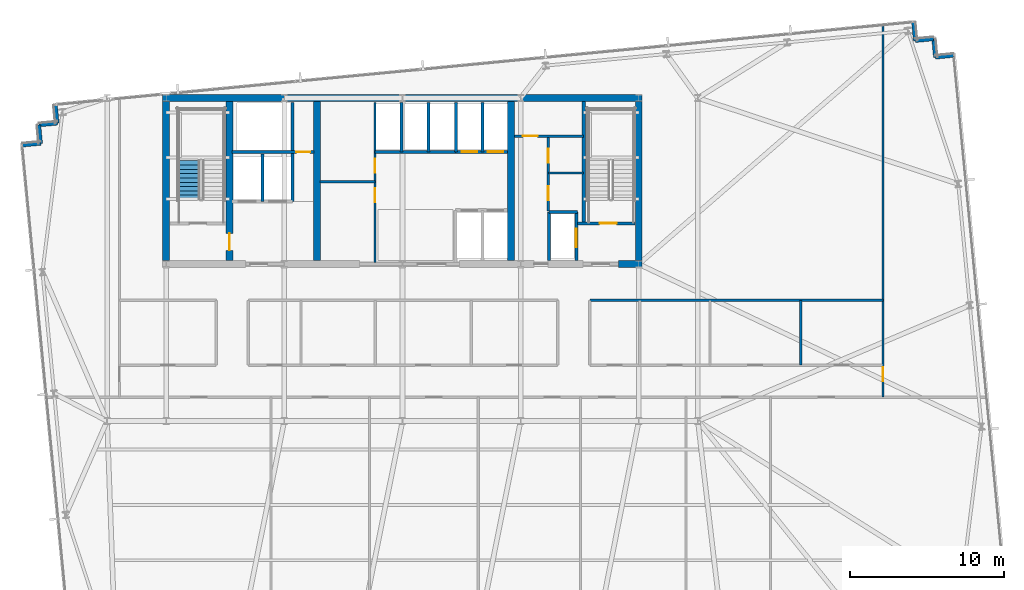
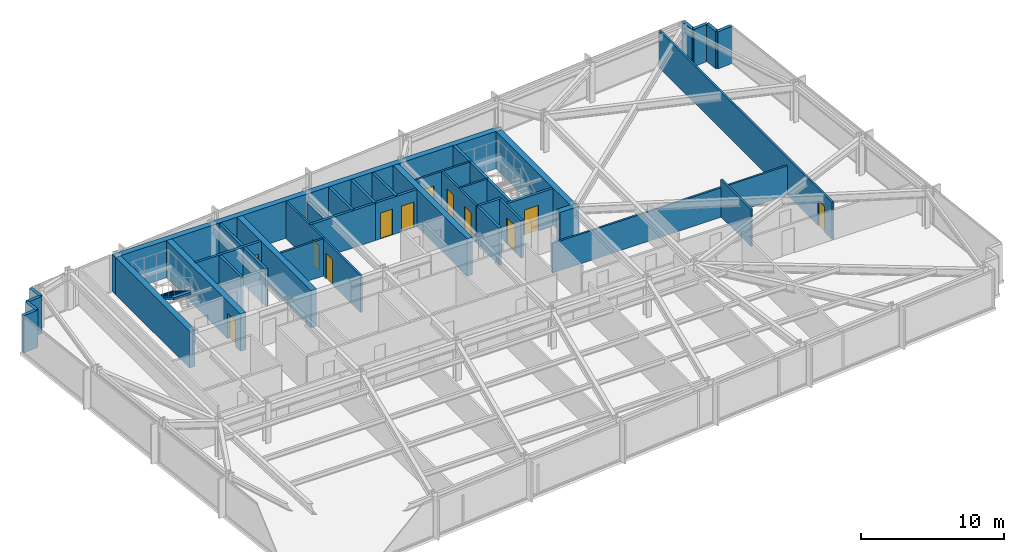
# One storey, part 26 of 33: 37 walls, 12 doors, 1 stair flight, 12 openings, 1 element without a shape of its own.
"""IFC4 building model written with IfcOpenShell, lengths in metres."""

from ifc_helpers import new_model, si_unit, direction, frame, frame_2d, origin, place, context, subcontext, project, spatial, polyline, rectangle, outline, extrude, material, layer, layer_set, type_object, element, fill, aggregate, save


model = new_model("IFC4")

# Units and contexts
model_context = context("Model", 3, precision=1e-05, world=origin(), true_north=direction((0.0, 1.0)))
body_context = subcontext(model_context, "Body", "Model", "MODEL_VIEW")
ifc_project = project(units=[si_unit("LENGTHUNIT", "METRE"), si_unit("AREAUNIT", "SQUARE_METRE"), si_unit("VOLUMEUNIT", "CUBIC_METRE"), si_unit("PLANEANGLEUNIT", "RADIAN"), si_unit("MASSUNIT", "GRAM", prefix="KILO")], contexts=[model_context])

# Site, building, storey
site_placement = place(None, origin())
site = spatial("IfcSite", under=ifc_project, at=site_placement, CompositionType="ELEMENT")
building_placement = place(site_placement, origin())
building = spatial("IfcBuilding", under=site, at=building_placement, Name="Yelkora Congress Tower", CompositionType="ELEMENT")
storey_placement = place(building_placement, frame((0.0, 0.0, 106.699951171875)))
storey = spatial("IfcBuildingStorey", under=building, at=storey_placement, Name="L28", CompositionType="ELEMENT", Elevation=106.699951171875)

# Walls
ifc_material_1 = material(Name="Concrete C50/60", Category="concrete")
ifc_layer_1 = layer(ifc_material_1, 0.219970703125)
ifc_layer_set_1 = layer_set([ifc_layer_1], Name="Concrete C50/60")
wall_type_1 = type_object("IfcWallType", Name="WALL-CORE-INT-220", PredefinedType="SHEAR", material=ifc_layer_set_1)
wall_1_placement = place(storey_placement, frame((50.179931640625, 38.050048828125, 0.0), z_axis=(0.0, 0.0, 1.0), x_axis=(0.0, 1.0, 0.0)))
element("IfcWall", 1, at=wall_1_placement, inside=storey, type_object=wall_type_1, Name="L28 ST02 West Stair Shear Wall", PredefinedType="SHEAR", context=body_context, shape_type="SweptSolid", body=[
    extrude(rectangle(XDim=7.925048828125, YDim=0.219970703125, at=frame_2d((3.96240234375, 0.0))), origin(), (0.0, 0.0, 1.0), 3.179931640625),
])
ifc_material_2 = material(Name="Concrete C60/75", Category="concrete")
ifc_layer_2 = layer(ifc_material_2, 0.449951171875)
ifc_layer_set_2 = layer_set([ifc_layer_2], Name="Concrete C60/75")
wall_type_2 = type_object("IfcWallType", Name="WALL-CORE-INT-450", PredefinedType="SHEAR", material=ifc_layer_set_2)
wall_2_placement = place(storey_placement, frame((22.81494140625, 46.199951171875, 0.0), z_axis=(0.0, 0.0, 1.0), x_axis=(1.0, 0.0, 0.0)))
element("IfcWall", 2, at=wall_2_placement, inside=storey, type_object=wall_type_2, Name="L28 Rear Core North Shear Wall", PredefinedType="SHEAR", context=body_context, shape_type="SweptSolid", body=[
    extrude(rectangle(XDim=31.170166015625, YDim=0.449951171875, at=frame_2d((15.5849609375, 0.0))), origin(), (0.0, 0.0, 1.0), 3.179931640625),
])
wall_3_placement = place(storey_placement, frame((52.449951171875, 35.39990234375, 0.0), z_axis=(0.0, 0.0, 1.0), x_axis=(1.0, 0.0, 0.0)))
element("IfcWall", 3, at=wall_3_placement, inside=storey, type_object=wall_type_2, Name="L28 Rear Core South-East Shear Wall B", PredefinedType="SHEAR", context=body_context, shape_type="SweptSolid", body=[
    extrude(rectangle(XDim=1.53515625, YDim=0.449951171875, at=frame_2d((0.767578125, 0.0))), origin(), (0.0, 0.0, 1.0), 3.179931640625),
])
wall_4_placement = place(storey_placement, frame((23.0400390625, 35.625, 0.0), z_axis=(0.0, 0.0, 1.0), x_axis=(0.0, 1.0, 0.0)))
element("IfcWall", 4, at=wall_4_placement, inside=storey, type_object=wall_type_2, Name="L28 Rear Core Cross Shear Wall W", PredefinedType="SHEAR", context=body_context, shape_type="SweptSolid", body=[
    extrude(rectangle(XDim=10.35009765625, YDim=0.449951171875, at=frame_2d((5.175048828125, 0.0))), origin(), (0.0, 0.0, 1.0), 3.179931640625),
])

# Wall, opening, door
wall_5_placement = place(storey_placement, frame((27.14990234375, 35.625, 0.0), z_axis=(0.0, 0.0, 1.0), x_axis=(0.0, 1.0, 0.0)))
wall_5 = element("IfcWall", 5, at=wall_5_placement, inside=storey, type_object=wall_type_2, Name="L28 Rear Core Cross Shear Wall C1", PredefinedType="SHEAR", context=body_context, shape_type="SweptSolid", body=[
    extrude(rectangle(XDim=10.35009765625, YDim=0.449951171875, at=frame_2d((5.175048828125, 0.0))), origin(), (0.0, 0.0, 1.0), 3.179931640625),
])
opening_1_placement = place(wall_5_placement, frame((0.675048828125, 0.0, 0.0)))
opening_1 = element("IfcOpeningElement", 6, at=opening_1_placement, cuts=wall_5, Name="Opening DR-110F9", PredefinedType="OPENING", context=body_context, shape_type="SweptSolid", body=[
    extrude(rectangle(XDim=1.10009765625, YDim=2.14990234375, at=frame_2d((0.550048828125, 1.074951171875))), frame((0.0, 0.23486328125, 0.0), z_axis=(0.0, -1.0, 0.0), x_axis=(1.0, 0.0, 0.0)), (0.0, 0.0, 1.0), 0.469970703125),
])
ifc_material_3 = material(Name="Galvanised steel fire door leaf", Category="steel")
door_type_1 = type_object("IfcDoorType", Name="DOOR-FD90-1100", OperationType="NOTDEFINED", PredefinedType="DOOR", material=ifc_material_3)
door_1_placement = place(opening_1_placement, origin())
door_1 = element("IfcDoor", 7, at=door_1_placement, inside=storey, type_object=door_type_1, Name="L28 Firefighting Stair Transfer Door", OperationType="SINGLE_SWING_LEFT", OverallHeight=2.14990234375, OverallWidth=1.10009765625, PredefinedType="DOOR", context=body_context, shape_type="SweptSolid", body=[
    extrude(rectangle(XDim=1.10009765625, YDim=2.14990234375, at=frame_2d((0.550048828125, 1.074951171875))), frame((0.0, 0.02490234375, 0.0), z_axis=(0.0, -1.0, 0.0), x_axis=(1.0, 0.0, 0.0)), (0.0, 0.0, 1.0), 0.050048828125),
])
fill(opening_1, door_1)

# Walls
for number, where, z_axis, x_axis, name in (
    (8, (32.85009765625, 35.625, 0.0), (0.0, 0.0, 1.0), (0.0, 1.0, 0.0), "L28 Rear Core Cross Shear Wall C2"),
    (9, (45.449951171875, 35.625, 0.0), (0.0, 0.0, 1.0), (0.0, 1.0, 0.0), "L28 Rear Core Cross Shear Wall C3"),
    (10, (53.760009765625, 35.625, 0.0), (0.0, 0.0, 1.0), (0.0, 1.0, 0.0), "L28 Rear Core Cross Shear Wall E"),
):
    element("IfcWall", number, at=place(storey_placement, frame(where, z_axis=z_axis, x_axis=x_axis)), inside=storey, type_object=wall_type_2, Name=name, PredefinedType="SHEAR", context=body_context, shape_type="SweptSolid", body=[
        extrude(rectangle(XDim=10.35009765625, YDim=0.449951171875, at=frame_2d((5.175048828125, 0.0))), origin(), (0.0, 0.0, 1.0), 3.179931640625),
    ])
ifc_material_4 = material(Name="Concrete C40/50", Category="concrete")
ifc_layer_3 = layer(ifc_material_4, 0.239990234375)
ifc_layer_set_3 = layer_set([ifc_layer_3], Name="Concrete C40/50")
wall_type_3 = type_object("IfcWallType", Name="WALL-EXT-LIMESTONE-240", PredefinedType="SOLIDWALL", material=ifc_layer_set_3)
for number, where, z_axis, x_axis, name in (
    (11, (13.69091796875, 43.126708984375, 0.0), (0.0, 0.0, 1.0), (0.995398960025, 0.095817067274, 0.0), "L28 Serrated Corner Limestone Pier 6"),
    (12, (14.885498046875, 43.24169921875, 0.0), (0.0, 0.0, 1.0), (-0.095817067274, 0.995398960025, 0.0), "L28 Serrated Corner Limestone Pier 7"),
):
    element("IfcWall", number, at=place(storey_placement, frame(where, z_axis=z_axis, x_axis=x_axis)), inside=storey, type_object=wall_type_3, Name=name, PredefinedType="SOLIDWALL", context=body_context, shape_type="SweptSolid", body=[
        extrude(rectangle(XDim=1.2001953125, YDim=0.239990234375, at=frame_2d((0.60009765625, 0.0))), origin(), (0.0, 0.0, 1.0), 3.179931640625),
    ])
for number, where, z_axis, x_axis, name in (
    (13, (14.7705078125, 44.436279296875, 0.0), (0.0, 0.0, 1.0), (0.995397091755, 0.095836473879, 0.0), "L28 Serrated Corner Limestone Pier 8"),
    (14, (15.96484375, 44.55126953125, 0.0), (0.0, 0.0, 1.0), (-0.095836473879, 0.995397091755, 0.0), "L28 Serrated Corner Limestone Pier 9"),
):
    element("IfcWall", number, at=place(storey_placement, frame(where, z_axis=z_axis, x_axis=x_axis)), inside=storey, type_object=wall_type_3, Name=name, PredefinedType="SOLIDWALL", context=body_context, shape_type="SweptSolid", body=[
        extrude(rectangle(XDim=1.199951171875, YDim=0.239990234375, at=frame_2d((0.60009765625, 0.0))), origin(), (0.0, 0.0, 1.0), 3.179931640625),
    ])
for number, where, z_axis, x_axis, name in (
    (15, (71.61181640625, 51.114990234375, 0.0), (0.0, 0.0, 1.0), (0.095817067274, -0.995398960025, 0.0), "L28 Serrated Corner Limestone Pier 11"),
    (16, (71.726806640625, 49.92041015625, 0.0), (0.0, 0.0, 1.0), (0.995398960025, 0.095817067274, 0.0), "L28 Serrated Corner Limestone Pier 12"),
    (17, (72.92138671875, 50.035400390625, 0.0), (0.0, 0.0, 1.0), (0.095817067274, -0.995398960025, 0.0), "L28 Serrated Corner Limestone Pier 13"),
    (18, (73.036376953125, 48.8408203125, 0.0), (0.0, 0.0, 1.0), (0.995379537303, 0.096018626938, 0.0), "L28 Serrated Corner Limestone Pier 14"),
):
    element("IfcWall", number, at=place(storey_placement, frame(where, z_axis=z_axis, x_axis=x_axis)), inside=storey, type_object=wall_type_3, Name=name, PredefinedType="SOLIDWALL", context=body_context, shape_type="SweptSolid", body=[
        extrude(rectangle(XDim=1.2001953125, YDim=0.239990234375, at=frame_2d((0.60009765625, 0.0))), origin(), (0.0, 0.0, 1.0), 3.179931640625),
    ])

# Wall, opening, door
ifc_material_5 = material(Name="Acoustic metal-stud gypsum partition", Category="gypsum")
ifc_layer_4 = layer(ifc_material_5, 0.14990234375)
ifc_layer_set_4 = layer_set([ifc_layer_4], Name="Acoustic metal-stud gypsum partition")
wall_type_4 = type_object("IfcWallType", Name="WALL-INT-150-NR", PredefinedType="PARTITIONING", material=ifc_layer_set_4)
wall_6_placement = place(storey_placement, frame((45.679931640625, 43.719970703125, 0.0), z_axis=(0.0, 0.0, 1.0), x_axis=(1.0, 0.0, 0.0)))
wall_6 = element("IfcWall", 19, at=wall_6_placement, inside=storey, type_object=wall_type_4, Name="L28 Partition Wall 24", PredefinedType="PARTITIONING", context=body_context, shape_type="SweptSolid", body=[
    extrude(rectangle(XDim=4.5, YDim=0.14990234375, at=frame_2d((2.25, 0.0))), origin(), (0.0, 0.0, 1.0), 3.179931640625),
])
opening_2_placement = place(wall_6_placement, frame((0.550048828125, 0.0, 0.0)))
opening_2 = element("IfcOpeningElement", 20, at=opening_2_placement, cuts=wall_6, Name="Opening DR-095N", PredefinedType="OPENING", context=body_context, shape_type="SweptSolid", body=[
    extrude(rectangle(XDim=0.949951171875, YDim=2.14990234375, at=frame_2d((0.47509765625, 1.074951171875))), frame((0.0, 0.0849609375, 0.0), z_axis=(0.0, -1.0, 0.0), x_axis=(1.0, 0.0, 0.0)), (0.0, 0.0, 1.0), 0.169921875),
])
ifc_material_6 = material(Name="Acoustic laminated timber office door", Category="wood")
door_type_2 = type_object("IfcDoorType", Name="DOOR-INT-950", OperationType="NOTDEFINED", PredefinedType="DOOR", material=ifc_material_6)
door_2_placement = place(opening_2_placement, origin())
door_2 = element("IfcDoor", 21, at=door_2_placement, inside=storey, type_object=door_type_2, Name="L28 Accessible WC Door", OperationType="SINGLE_SWING_RIGHT", OverallHeight=2.14990234375, OverallWidth=0.949951171875, PredefinedType="DOOR", context=body_context, shape_type="SweptSolid", body=[
    extrude(rectangle(XDim=0.949951171875, YDim=2.14990234375, at=frame_2d((0.47509765625, 1.074951171875))), frame((0.0, 0.02490234375, 0.0), z_axis=(0.0, -1.0, 0.0), x_axis=(1.0, 0.0, 0.0)), (0.0, 0.0, 1.0), 0.050048828125),
])
fill(opening_2, door_2)

# Wall
wall_7_placement = place(storey_placement, frame((47.8798828125, 41.320068359375, 0.0), z_axis=(0.0, 0.0, 1.0), x_axis=(1.0, 0.0, 0.0)))
element("IfcWall", 22, at=wall_7_placement, inside=storey, type_object=wall_type_4, Name="L28 Partition Wall 25", PredefinedType="PARTITIONING", context=body_context, shape_type="SweptSolid", body=[
    extrude(rectangle(XDim=2.300048828125, YDim=0.14990234375, at=frame_2d((1.14990234375, 0.0))), origin(), (0.0, 0.0, 1.0), 3.179931640625),
])

# Wall, openings, doors
wall_8_placement = place(storey_placement, frame((47.8798828125, 38.85009765625, 0.0), z_axis=(0.0, 0.0, 1.0), x_axis=(0.0, 1.0, 0.0)))
wall_8 = element("IfcWall", 23, at=wall_8_placement, inside=storey, type_object=wall_type_4, Name="L28 Partition Wall 26", PredefinedType="PARTITIONING", context=body_context, shape_type="SweptSolid", body=[
    extrude(rectangle(XDim=4.869873046875, YDim=0.14990234375, at=frame_2d((2.43505859375, 0.0))), origin(), (0.0, 0.0, 1.0), 3.179931640625),
])
opening_3_placement = place(wall_8_placement, frame((0.699951171875, 0.0, 0.0)))
opening_3 = element("IfcOpeningElement", 24, at=opening_3_placement, cuts=wall_8, Name="Opening DR-090N", PredefinedType="OPENING", context=body_context, shape_type="SweptSolid", body=[
    extrude(rectangle(XDim=0.89990234375, YDim=2.14990234375, at=frame_2d((0.449951171875, 1.074951171875))), frame((0.0, 0.0849609375, 0.0), z_axis=(0.0, -1.0, 0.0), x_axis=(1.0, 0.0, 0.0)), (0.0, 0.0, 1.0), 0.169921875),
])
opening_4_placement = place(wall_8_placement, frame((3.14990234375, 0.0, 0.0)))
opening_4 = element("IfcOpeningElement", 25, at=opening_4_placement, cuts=wall_8, Name="Opening DR-090N", PredefinedType="OPENING", context=body_context, shape_type="SweptSolid", body=[
    extrude(rectangle(XDim=0.89990234375, YDim=2.14990234375, at=frame_2d((0.449951171875, 1.074951171875))), frame((0.0, 0.0849609375, 0.0), z_axis=(0.0, -1.0, 0.0), x_axis=(1.0, 0.0, 0.0)), (0.0, 0.0, 1.0), 0.169921875),
])
ifc_material_7 = material(Name="Moisture-resistant laminate door leaf", Category="wood")
door_type_3 = type_object("IfcDoorType", Name="DOOR-INT-900", OperationType="NOTDEFINED", PredefinedType="DOOR", material=ifc_material_7)
door_3_placement = place(opening_3_placement, origin())
door_3 = element("IfcDoor", 26, at=door_3_placement, inside=storey, type_object=door_type_3, Name="L28 Male WC Door", OperationType="SINGLE_SWING_LEFT", OverallHeight=2.14990234375, OverallWidth=0.89990234375, PredefinedType="DOOR", context=body_context, shape_type="SweptSolid", body=[
    extrude(rectangle(XDim=0.89990234375, YDim=2.14990234375, at=frame_2d((0.449951171875, 1.074951171875))), frame((0.0, 0.02490234375, 0.0), z_axis=(0.0, -1.0, 0.0), x_axis=(1.0, 0.0, 0.0)), (0.0, 0.0, 1.0), 0.050048828125),
])
fill(opening_3, door_3)
door_4_placement = place(opening_4_placement, origin())
door_4 = element("IfcDoor", 27, at=door_4_placement, inside=storey, type_object=door_type_3, Name="L28 Female WC Door", OperationType="SINGLE_SWING_RIGHT", OverallHeight=2.14990234375, OverallWidth=0.89990234375, PredefinedType="DOOR", context=body_context, shape_type="SweptSolid", body=[
    extrude(rectangle(XDim=0.89990234375, YDim=2.14990234375, at=frame_2d((0.449951171875, 1.074951171875))), frame((0.0, 0.02490234375, 0.0), z_axis=(0.0, -1.0, 0.0), x_axis=(1.0, 0.0, 0.0)), (0.0, 0.0, 1.0), 0.050048828125),
])
fill(opening_4, door_4)

# Wall, opening, door
wall_9_placement = place(storey_placement, frame((69.62890625, 26.75, 0.0), z_axis=(0.0, 0.0, 1.0), x_axis=(0.0, 1.0, 0.0)))
wall_9 = element("IfcWall", 28, at=wall_9_placement, inside=storey, type_object=wall_type_4, Name="L28 Partition Wall 35", PredefinedType="PARTITIONING", context=body_context, shape_type="SweptSolid", body=[
    extrude(rectangle(XDim=24.234375, YDim=0.14990234375, at=frame_2d((12.1171875, 0.0))), origin(), (0.0, 0.0, 1.0), 3.179931640625),
])
opening_5_placement = place(wall_9_placement, frame((1.030029296875, 0.0, 0.0)))
opening_5 = element("IfcOpeningElement", 29, at=opening_5_placement, cuts=wall_9, Name="Opening DR-090N", PredefinedType="OPENING", context=body_context, shape_type="SweptSolid", body=[
    extrude(rectangle(XDim=0.89990234375, YDim=2.14990234375, at=frame_2d((0.449951171875, 1.074951171875))), frame((0.0, 0.0849609375, 0.0), z_axis=(0.0, -1.0, 0.0), x_axis=(1.0, 0.0, 0.0)), (0.0, 0.0, 1.0), 0.169921875),
])
door_5_placement = place(opening_5_placement, origin())
door_5 = element("IfcDoor", 30, at=door_5_placement, inside=storey, type_object=door_type_3, Name="L28 E Wing Door", OperationType="SINGLE_SWING_LEFT", OverallHeight=2.14990234375, OverallWidth=0.89990234375, PredefinedType="DOOR", context=body_context, shape_type="SweptSolid", body=[
    extrude(rectangle(XDim=0.89990234375, YDim=2.14990234375, at=frame_2d((0.449951171875, 1.074951171875))), frame((0.0, 0.02490234375, 0.0), z_axis=(0.0, -1.0, 0.0), x_axis=(1.0, 0.0, 0.0)), (0.0, 0.0, 1.0), 0.050048828125),
])
fill(opening_5, door_5)

# Walls
wall_10_placement = place(storey_placement, frame((50.580078125, 33.050048828125, 0.0), z_axis=(0.0, 0.0, 1.0), x_axis=(1.0, 0.0, 0.0)))
element("IfcWall", 31, at=wall_10_placement, inside=storey, type_object=wall_type_4, Name="L28 Partition Wall 42", PredefinedType="PARTITIONING", context=body_context, shape_type="SweptSolid", body=[
    extrude(rectangle(XDim=19.048828125, YDim=0.14990234375, at=frame_2d((9.5244140625, 0.0))), origin(), (0.0, 0.0, 1.0), 2.525146484375),
])
wall_11_placement = place(storey_placement, frame((64.283935546875, 28.830078125, 0.0), z_axis=(0.0, 0.0, 1.0), x_axis=(0.0, 1.0, 0.0)))
element("IfcWall", 32, at=wall_11_placement, inside=storey, type_object=wall_type_4, Name="L28 Partition Wall 50", PredefinedType="PARTITIONING", context=body_context, shape_type="SweptSolid", body=[
    extrude(rectangle(XDim=4.219970703125, YDim=0.14990234375, at=frame_2d((2.10986328125, 0.0))), origin(), (0.0, 0.0, 1.0), 3.179931640625),
])
ifc_material_8 = material(Name="Twin-stud fire-rated gypsum partition", Category="gypsum")
ifc_layer_5 = layer(ifc_material_8, 0.14990234375)
ifc_layer_set_5 = layer_set([ifc_layer_5], Name="Twin-stud fire-rated gypsum partition")
wall_type_5 = type_object("IfcWallType", Name="WALL-INT-150-R60", PredefinedType="PARTITIONING", material=ifc_layer_set_5)
wall_12_placement = place(storey_placement, frame((33.050048828125, 40.75, 0.0), z_axis=(0.0, 0.0, 1.0), x_axis=(1.0, 0.0, 0.0)))
element("IfcWall", 33, at=wall_12_placement, inside=storey, type_object=wall_type_5, Name="L28 Partition Wall 11", PredefinedType="PARTITIONING", context=body_context, shape_type="SweptSolid", body=[
    extrude(rectangle(XDim=3.570068359375, YDim=0.14990234375, at=frame_2d((1.78515625, 0.0))), origin(), (0.0, 0.0, 1.0), 3.179931640625),
])

# Wall, openings, doors
wall_13_placement = place(storey_placement, frame((36.6201171875, 35.5, 0.0), z_axis=(0.0, 0.0, 1.0), x_axis=(0.0, 1.0, 0.0)))
wall_13 = element("IfcWall", 34, at=wall_13_placement, inside=storey, type_object=wall_type_5, Name="L28 Partition Wall 12", PredefinedType="PARTITIONING", context=body_context, shape_type="SweptSolid", body=[
    extrude(rectangle(XDim=10.419921875, YDim=0.14990234375, at=frame_2d((5.2099609375, 0.0))), origin(), (0.0, 0.0, 1.0), 3.179931640625),
])
opening_6_placement = place(wall_13_placement, frame((3.919921875, 0.0, 0.0)))
opening_6 = element("IfcOpeningElement", 35, at=opening_6_placement, cuts=wall_13, Name="Opening DR-090F6", PredefinedType="OPENING", context=body_context, shape_type="SweptSolid", body=[
    extrude(rectangle(XDim=0.89990234375, YDim=2.14990234375, at=frame_2d((0.449951171875, 1.074951171875))), frame((0.0, 0.0849609375, 0.0), z_axis=(0.0, -1.0, 0.0), x_axis=(1.0, 0.0, 0.0)), (0.0, 0.0, 1.0), 0.169921875),
])
opening_7_placement = place(wall_13_placement, frame((5.85009765625, 0.0, 0.0)))
opening_7 = element("IfcOpeningElement", 36, at=opening_7_placement, cuts=wall_13, Name="Opening DR-090F6", PredefinedType="OPENING", context=body_context, shape_type="SweptSolid", body=[
    extrude(rectangle(XDim=0.89990234375, YDim=2.14990234375, at=frame_2d((0.449951171875, 1.074951171875))), frame((0.0, 0.0849609375, 0.0), z_axis=(0.0, -1.0, 0.0), x_axis=(1.0, 0.0, 0.0)), (0.0, 0.0, 1.0), 0.169921875),
])
ifc_material_9 = material(Name="Painted steel riser fire door leaf", Category="steel")
door_type_4 = type_object("IfcDoorType", Name="DOOR-FD60-900", OperationType="NOTDEFINED", PredefinedType="DOOR", material=ifc_material_9)
door_6_placement = place(opening_6_placement, origin())
door_6 = element("IfcDoor", 37, at=door_6_placement, inside=storey, type_object=door_type_4, Name="L28 Telecom Store Door", OperationType="SINGLE_SWING_LEFT", OverallHeight=2.14990234375, OverallWidth=0.89990234375, PredefinedType="DOOR", context=body_context, shape_type="SweptSolid", body=[
    extrude(rectangle(XDim=0.89990234375, YDim=2.14990234375, at=frame_2d((0.449951171875, 1.074951171875))), frame((0.0, 0.02490234375, 0.0), z_axis=(0.0, -1.0, 0.0), x_axis=(1.0, 0.0, 0.0)), (0.0, 0.0, 1.0), 0.050048828125),
])
fill(opening_6, door_6)
door_7_placement = place(opening_7_placement, origin())
door_7 = element("IfcDoor", 38, at=door_7_placement, inside=storey, type_object=door_type_4, Name="L28 Archive Store Door", OperationType="SINGLE_SWING_RIGHT", OverallHeight=2.14990234375, OverallWidth=0.89990234375, PredefinedType="DOOR", context=body_context, shape_type="SweptSolid", body=[
    extrude(rectangle(XDim=0.89990234375, YDim=2.14990234375, at=frame_2d((0.449951171875, 1.074951171875))), frame((0.0, 0.02490234375, 0.0), z_axis=(0.0, -1.0, 0.0), x_axis=(1.0, 0.0, 0.0)), (0.0, 0.0, 1.0), 0.050048828125),
])
fill(opening_7, door_7)

# Walls
ifc_material_10 = material(Name="Autoclaved aerated concrete blockwork", Category="masonry")
ifc_layer_6 = layer(ifc_material_10, 0.199951171875)
ifc_layer_set_6 = layer_set([ifc_layer_6], Name="Autoclaved aerated concrete blockwork")
wall_type_6 = type_object("IfcWallType", Name="WALL-INT-200-R120", PredefinedType="PARTITIONING", material=ifc_layer_set_6)
wall_14_placement = place(storey_placement, frame((29.300048828125, 39.47998046875, 0.0), z_axis=(0.0, 0.0, 1.0), x_axis=(0.0, 1.0, 0.0)))
element("IfcWall", 39, at=wall_14_placement, inside=storey, type_object=wall_type_6, Name="L28 Partition Wall 4", PredefinedType="PARTITIONING", context=body_context, shape_type="SweptSolid", body=[
    extrude(rectangle(XDim=3.070068359375, YDim=0.199951171875, at=frame_2d((1.53515625, 0.0))), origin(), (0.0, 0.0, 1.0), 3.179931640625),
])
wall_15_placement = place(storey_placement, frame((31.260009765625, 39.47998046875, 0.0), z_axis=(0.0, 0.0, 1.0), x_axis=(0.0, 1.0, 0.0)))
element("IfcWall", 40, at=wall_15_placement, inside=storey, type_object=wall_type_6, Name="L28 Partition Wall 5", PredefinedType="PARTITIONING", context=body_context, shape_type="SweptSolid", body=[
    extrude(rectangle(XDim=6.43994140625, YDim=0.199951171875, at=frame_2d((3.219970703125, 0.0))), origin(), (0.0, 0.0, 1.0), 3.179931640625),
])

# Wall, opening, door
wall_16_placement = place(storey_placement, frame((27.320068359375, 42.679931640625, 0.0), z_axis=(0.0, 0.0, 1.0), x_axis=(1.0, 0.0, 0.0)))
wall_16 = element("IfcWall", 41, at=wall_16_placement, inside=storey, type_object=wall_type_6, Name="L28 Smoke Riser South Wall", PredefinedType="PARTITIONING", context=body_context, shape_type="SweptSolid", body=[
    extrude(rectangle(XDim=5.329833984375, YDim=0.199951171875, at=frame_2d((2.6650390625, 0.0))), origin(), (0.0, 0.0, 1.0), 3.179931640625),
])
opening_8_placement = place(wall_16_placement, frame((4.179931640625, 0.0, 0.0)))
opening_8 = element("IfcOpeningElement", 42, at=opening_8_placement, cuts=wall_16, Name="Opening DR-090F6", PredefinedType="OPENING", context=body_context, shape_type="SweptSolid", body=[
    extrude(rectangle(XDim=0.89990234375, YDim=2.14990234375, at=frame_2d((0.449951171875, 1.074951171875))), frame((0.0, 0.10986328125, 0.0), z_axis=(0.0, -1.0, 0.0), x_axis=(1.0, 0.0, 0.0)), (0.0, 0.0, 1.0), 0.219970703125),
])
door_8_placement = place(opening_8_placement, origin())
door_8 = element("IfcDoor", 43, at=door_8_placement, inside=storey, type_object=door_type_4, Name="L28 Riser Access Door", OperationType="SINGLE_SWING_LEFT", OverallHeight=2.14990234375, OverallWidth=0.89990234375, PredefinedType="DOOR", context=body_context, shape_type="SweptSolid", body=[
    extrude(rectangle(XDim=0.89990234375, YDim=2.14990234375, at=frame_2d((0.449951171875, 1.074951171875))), frame((0.0, 0.02490234375, 0.0), z_axis=(0.0, -1.0, 0.0), x_axis=(1.0, 0.0, 0.0)), (0.0, 0.0, 1.0), 0.050048828125),
])
fill(opening_8, door_8)

# Walls
wall_17_placement = place(storey_placement, frame((36.60009765625, 42.699951171875, 0.0), z_axis=(0.0, 0.0, 1.0), x_axis=(1.0, 0.0, 0.0)))
element("IfcWall", 44, at=wall_17_placement, inside=storey, type_object=wall_type_6, Name="L28 Partition Wall 8", PredefinedType="PARTITIONING", context=body_context, shape_type="SweptSolid", body=[
    extrude(rectangle(XDim=5.25, YDim=0.199951171875, at=frame_2d((2.625, 0.0))), origin(), (0.0, 0.0, 1.0), 3.179931640625),
])
wall_18_placement = place(storey_placement, frame((38.35009765625, 42.699951171875, 0.0), z_axis=(0.0, 0.0, 1.0), x_axis=(0.0, 1.0, 0.0)))
element("IfcWall", 45, at=wall_18_placement, inside=storey, type_object=wall_type_6, Name="L28 Partition Wall 9", PredefinedType="PARTITIONING", context=body_context, shape_type="SweptSolid", body=[
    extrude(rectangle(XDim=3.219970703125, YDim=0.199951171875, at=frame_2d((1.60986328125, 0.0))), origin(), (0.0, 0.0, 1.0), 2.525146484375),
])
wall_19_placement = place(storey_placement, frame((40.10009765625, 42.699951171875, 0.0), z_axis=(0.0, 0.0, 1.0), x_axis=(0.0, 1.0, 0.0)))
element("IfcWall", 46, at=wall_19_placement, inside=storey, type_object=wall_type_6, Name="L28 Partition Wall 10", PredefinedType="PARTITIONING", context=body_context, shape_type="SweptSolid", body=[
    extrude(rectangle(XDim=3.219970703125, YDim=0.199951171875, at=frame_2d((1.60986328125, 0.0))), origin(), (0.0, 0.0, 1.0), 3.179931640625),
])

# Wall, openings, doors
wall_20_placement = place(storey_placement, frame((41.85009765625, 42.699951171875, 0.0), z_axis=(0.0, 0.0, 1.0), x_axis=(1.0, 0.0, 0.0)))
wall_20 = element("IfcWall", 47, at=wall_20_placement, inside=storey, type_object=wall_type_6, Name="L28 Partition Wall 14", PredefinedType="PARTITIONING", context=body_context, shape_type="SweptSolid", body=[
    extrude(rectangle(XDim=3.369873046875, YDim=0.199951171875, at=frame_2d((1.68505859375, 0.0))), origin(), (0.0, 0.0, 1.0), 3.179931640625),
])
opening_9_placement = place(wall_20_placement, frame((0.39990234375, 0.0, 0.0)))
opening_9 = element("IfcOpeningElement", 48, at=opening_9_placement, cuts=wall_20, Name="Opening LD-PS10", PredefinedType="OPENING", context=body_context, shape_type="SweptSolid", body=[
    extrude(rectangle(XDim=1.0, YDim=2.199951171875, at=frame_2d((0.5, 1.10009765625))), frame((0.0, 0.10986328125, 0.0), z_axis=(0.0, -1.0, 0.0), x_axis=(1.0, 0.0, 0.0)), (0.0, 0.0, 1.0), 0.219970703125),
])
opening_10_placement = place(wall_20_placement, frame((2.10009765625, 0.0, 0.0)))
opening_10 = element("IfcOpeningElement", 49, at=opening_10_placement, cuts=wall_20, Name="Opening LD-PS10", PredefinedType="OPENING", context=body_context, shape_type="SweptSolid", body=[
    extrude(rectangle(XDim=1.0, YDim=2.199951171875, at=frame_2d((0.5, 1.10009765625))), frame((0.0, 0.10986328125, 0.0), z_axis=(0.0, -1.0, 0.0), x_axis=(1.0, 0.0, 0.0)), (0.0, 0.0, 1.0), 0.219970703125),
])
ifc_material_11 = material(Name="Champagne stainless steel landing door", Category="steel")
door_type_5 = type_object("IfcDoorType", Name="DOOR-LIFT-PAS-1000", OperationType="DOUBLE_DOOR_SLIDING", PredefinedType="DOOR", material=ifc_material_11)
door_9_placement = place(opening_9_placement, origin())
door_9 = element("IfcDoor", 50, at=door_9_placement, inside=storey, type_object=door_type_5, Name="Lift Landing Door LF-P7 L28", OperationType="DOUBLE_DOOR_SLIDING", OverallHeight=2.199951171875, OverallWidth=1.0, PredefinedType="DOOR", context=body_context, shape_type="SweptSolid", body=[
    extrude(rectangle(XDim=1.0, YDim=2.199951171875, at=frame_2d((0.5, 1.10009765625))), frame((0.0, 0.02490234375, 0.0), z_axis=(0.0, -1.0, 0.0), x_axis=(1.0, 0.0, 0.0)), (0.0, 0.0, 1.0), 0.050048828125),
])
fill(opening_9, door_9)
door_10_placement = place(opening_10_placement, origin())
door_10 = element("IfcDoor", 51, at=door_10_placement, inside=storey, type_object=door_type_5, Name="Lift Landing Door LF-P8 L28", OperationType="DOUBLE_DOOR_SLIDING", OverallHeight=2.199951171875, OverallWidth=1.0, PredefinedType="DOOR", context=body_context, shape_type="SweptSolid", body=[
    extrude(rectangle(XDim=1.0, YDim=2.199951171875, at=frame_2d((0.5, 1.10009765625))), frame((0.0, 0.02490234375, 0.0), z_axis=(0.0, -1.0, 0.0), x_axis=(1.0, 0.0, 0.0)), (0.0, 0.0, 1.0), 0.050048828125),
])
fill(opening_10, door_10)

# Walls
for number, where, z_axis, x_axis, name in (
    (52, (43.60009765625, 42.699951171875, 0.0), (0.0, 0.0, 1.0), (0.0, 1.0, 0.0), "L28 Partition Wall 16"),
    (53, (41.8798828125, 42.699951171875, 0.0), (0.0, 0.0, 1.0), (0.0, 1.0, 0.0), "L28 Partition Wall 18"),
):
    element("IfcWall", number, at=place(storey_placement, frame(where, z_axis=z_axis, x_axis=x_axis)), inside=storey, type_object=wall_type_6, Name=name, PredefinedType="PARTITIONING", context=body_context, shape_type="SweptSolid", body=[
        extrude(rectangle(XDim=3.219970703125, YDim=0.199951171875, at=frame_2d((1.60986328125, 0.0))), origin(), (0.0, 0.0, 1.0), 3.179931640625),
    ])

# Wall, opening, door
wall_21_placement = place(storey_placement, frame((49.780029296875, 38.050048828125, 0.0), z_axis=(0.0, 0.0, 1.0), x_axis=(1.0, 0.0, 0.0)))
wall_21 = element("IfcWall", 54, at=wall_21_placement, inside=storey, type_object=wall_type_6, Name="L28 Stair ST-02 Enclosure Wall", PredefinedType="PARTITIONING", context=body_context, shape_type="SweptSolid", body=[
    extrude(rectangle(XDim=3.719970703125, YDim=0.199951171875, at=frame_2d((1.85986328125, 0.0))), origin(), (0.0, 0.0, 1.0), 3.179931640625),
])
opening_11_placement = place(wall_21_placement, frame((1.436279296875, 0.0, 0.0)))
opening_11 = element("IfcOpeningElement", 55, at=opening_11_placement, cuts=wall_21, Name="Opening DR-110F9", PredefinedType="OPENING", context=body_context, shape_type="SweptSolid", body=[
    extrude(rectangle(XDim=1.10009765625, YDim=2.14990234375, at=frame_2d((0.550048828125, 1.074951171875))), frame((0.0, 0.10986328125, 0.0), z_axis=(0.0, -1.0, 0.0), x_axis=(1.0, 0.0, 0.0)), (0.0, 0.0, 1.0), 0.219970703125),
])
door_11_placement = place(opening_11_placement, origin())
door_11 = element("IfcDoor", 56, at=door_11_placement, inside=storey, type_object=door_type_1, Name="L28 Stair ST-02 Entry Door", OperationType="SINGLE_SWING_LEFT", OverallHeight=2.14990234375, OverallWidth=1.10009765625, PredefinedType="DOOR", context=body_context, shape_type="SweptSolid", body=[
    extrude(rectangle(XDim=1.10009765625, YDim=2.14990234375, at=frame_2d((0.550048828125, 1.074951171875))), frame((0.0, 0.02490234375, 0.0), z_axis=(0.0, -1.0, 0.0), x_axis=(1.0, 0.0, 0.0)), (0.0, 0.0, 1.0), 0.050048828125),
])
fill(opening_11, door_11)

wall_22_placement = place(storey_placement, frame((49.699951171875, 35.64990234375, 0.0), z_axis=(0.0, 0.0, 1.0), x_axis=(0.0, 1.0, 0.0)))
wall_22 = element("IfcWall", 57, at=wall_22_placement, inside=storey, type_object=wall_type_6, Name="L28 Partition Wall 21", PredefinedType="PARTITIONING", context=body_context, shape_type="SweptSolid", body=[
    extrude(rectangle(XDim=3.150146484375, YDim=0.199951171875, at=frame_2d((1.5751953125, 0.0))), origin(), (0.0, 0.0, 1.0), 3.179931640625),
])
opening_12_placement = place(wall_22_placement, frame((0.85009765625, 0.0, 0.0)))
opening_12 = element("IfcOpeningElement", 58, at=opening_12_placement, cuts=wall_22, Name="Opening LD-SV12", PredefinedType="OPENING", context=body_context, shape_type="SweptSolid", body=[
    extrude(rectangle(XDim=1.199951171875, YDim=2.199951171875, at=frame_2d((0.60009765625, 1.10009765625))), frame((0.0, 0.10986328125, 0.0), z_axis=(0.0, -1.0, 0.0), x_axis=(1.0, 0.0, 0.0)), (0.0, 0.0, 1.0), 0.219970703125),
])
ifc_material_12 = material(Name="Heavy-duty stainless steel landing door", Category="steel")
door_type_6 = type_object("IfcDoorType", Name="DOOR-LIFT-SRV-1200", OperationType="DOUBLE_DOOR_SLIDING", PredefinedType="DOOR", material=ifc_material_12)
door_12_placement = place(opening_12_placement, origin())
door_12 = element("IfcDoor", 59, at=door_12_placement, inside=storey, type_object=door_type_6, Name="Service Lift Landing Door LF-SV1 L28", OperationType="DOUBLE_DOOR_SLIDING", OverallHeight=2.199951171875, OverallWidth=1.199951171875, PredefinedType="DOOR", context=body_context, shape_type="SweptSolid", body=[
    extrude(rectangle(XDim=1.199951171875, YDim=2.199951171875, at=frame_2d((0.60009765625, 1.10009765625))), frame((0.0, 0.02490234375, 0.0), z_axis=(0.0, -1.0, 0.0), x_axis=(1.0, 0.0, 0.0)), (0.0, 0.0, 1.0), 0.050048828125),
])
fill(opening_12, door_12)

# Walls
wall_23_placement = place(storey_placement, frame((47.919921875, 35.64990234375, 0.0), z_axis=(0.0, 0.0, 1.0), x_axis=(0.0, 1.0, 0.0)))
element("IfcWall", 60, at=wall_23_placement, inside=storey, type_object=wall_type_6, Name="L28 Partition Wall 22", PredefinedType="PARTITIONING", context=body_context, shape_type="SweptSolid", body=[
    extrude(rectangle(XDim=3.150146484375, YDim=0.199951171875, at=frame_2d((1.5751953125, 0.0))), origin(), (0.0, 0.0, 1.0), 3.179931640625),
])
wall_24_placement = place(storey_placement, frame((47.919921875, 38.800048828125, 0.0), z_axis=(0.0, 0.0, 1.0), x_axis=(1.0, 0.0, 0.0)))
element("IfcWall", 61, at=wall_24_placement, inside=storey, type_object=wall_type_6, Name="L28 Partition Wall 23", PredefinedType="PARTITIONING", context=body_context, shape_type="SweptSolid", body=[
    extrude(rectangle(XDim=1.860107421875, YDim=0.199951171875, at=frame_2d((0.93017578125, 0.0))), origin(), (0.0, 0.0, 1.0), 3.179931640625),
])

# Stair, stair flight
stair_type = type_object("IfcStairType", Name="STAIR-HT-1420-R20-170", PredefinedType="HALF_TURN_STAIR", material=ifc_material_4)
stair_placement = place(storey_placement, origin())
stair = element("IfcStair", 62, at=stair_placement, inside=storey, type_object=stair_type, Name="West Core Protected Exit Stair ST-01 (L28)", PredefinedType="HALF_TURN_STAIR")
stair_flight_type = type_object("IfcStairFlightType", Name="FLIGHT-1420-N10-R170-G280", PredefinedType="STRAIGHT", material=ifc_material_4)
stair_flight_placement = place(storey_placement, frame((24.530029296875, 42.1201171875, 1.699951171875), z_axis=(0.0, 0.0, 1.0), x_axis=(0.0, -1.0, 0.0)))
stair_flight = element("IfcStairFlight", 63, at=stair_flight_placement, type_object=stair_flight_type, Name="ST-01 L28 Flight 2", NumberOfRisers=10, NumberOfTreads=9, PredefinedType="STRAIGHT", RiserHeight=0.17, TreadLength=0.28, context=body_context, shape_type="SweptSolid", body=[
    extrude(outline(polyline([(0.0, 0.0), (0.0, 0.169921875), (0.280029296875, 0.169921875), (0.280029296875, 0.340087890625), (0.56005859375, 0.340087890625), (0.56005859375, 0.510009765625), (0.840087890625, 0.510009765625), (0.840087890625, 0.679931640625), (1.1201171875, 0.679931640625), (1.1201171875, 0.85009765625), (1.39990234375, 0.85009765625), (1.39990234375, 1.02001953125), (1.679931640625, 1.02001953125), (1.679931640625, 1.18994140625), (1.9599609375, 1.18994140625), (1.9599609375, 1.360107421875), (2.239990234375, 1.360107421875), (2.239990234375, 1.530029296875), (2.52001953125, 1.530029296875), (2.52001953125, 1.699951171875), (2.52001953125, 1.343017578125), (0.30810546875, 0.0), (0.0, 0.0)])), frame((0.0, 0.7099609375, 0.0), z_axis=(0.0, -1.0, 0.0), x_axis=(1.0, 0.0, 0.0)), (0.0, 0.0, 1.0), 1.419921875),
])
aggregate(stair, [stair_flight])

save(model, "model.ifc")
